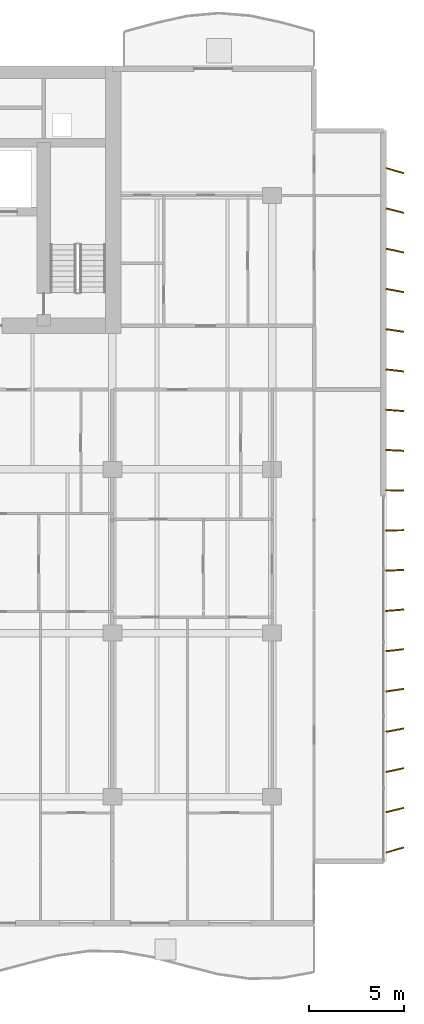
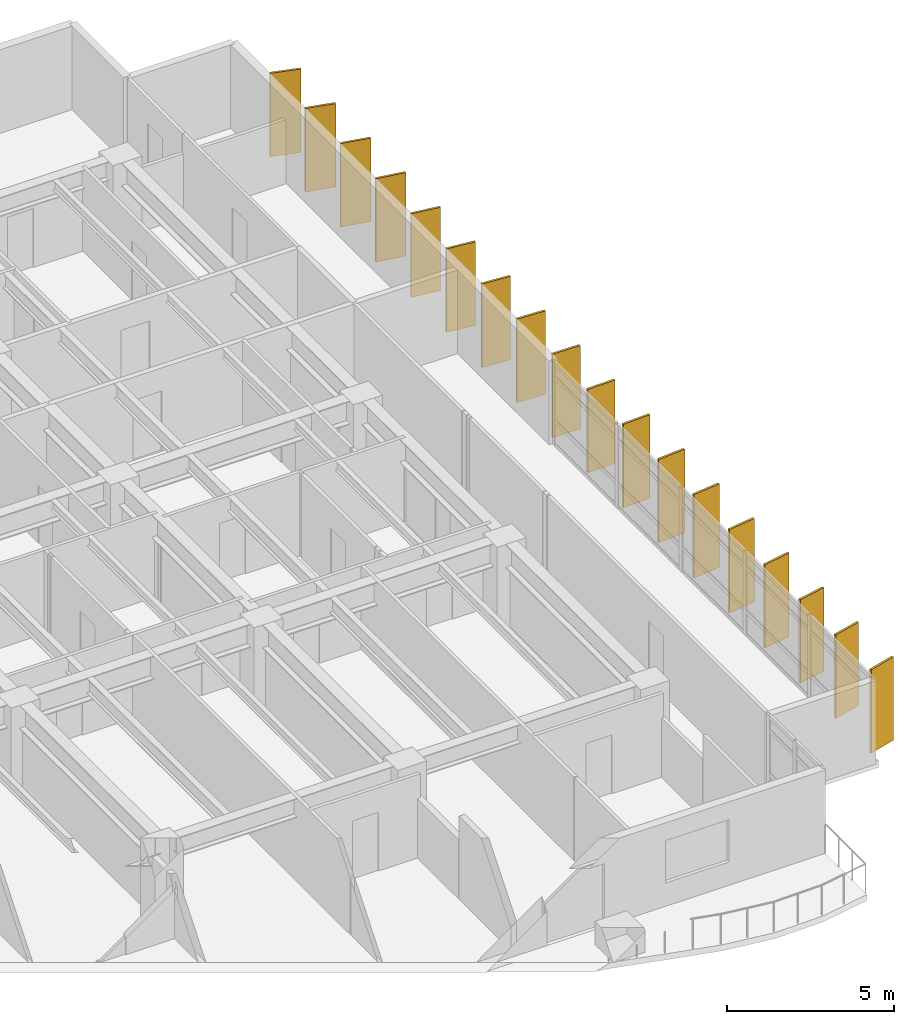
# One storey, part 19 of 19: 18 shading devices.
"""IFC4 building model written with IfcOpenShell, lengths in metres."""

from ifc_helpers import new_model, si_unit, direction, frame, origin, origin_2d, place, context, subcontext, project, spatial, rectangle, extrude, material, material_profile, profile_set, type_object, element, save


model = new_model("IFC4")

# Units and contexts
model_context = context("Model", 3, precision=1e-05, world=origin(), true_north=direction((0.0, 1.0)))
body_context = subcontext(model_context, "Body", "Model", "MODEL_VIEW")
ifc_project = project(units=[si_unit("LENGTHUNIT", "METRE"), si_unit("AREAUNIT", "SQUARE_METRE"), si_unit("VOLUMEUNIT", "CUBIC_METRE"), si_unit("PLANEANGLEUNIT", "RADIAN"), si_unit("MASSUNIT", "GRAM", prefix="KILO")], contexts=[model_context])

# Site, building, storey
site_placement = place(None, origin())
site = spatial("IfcSite", under=ifc_project, at=site_placement, CompositionType="ELEMENT")
building_placement = place(site_placement, origin())
building = spatial("IfcBuilding", under=site, at=building_placement, Name="Caelmar Bay Residences", CompositionType="ELEMENT")
storey_placement = place(building_placement, frame((0.0, 0.0, 112.5)))
storey = spatial("IfcBuildingStorey", under=building, at=storey_placement, Name="L30", CompositionType="ELEMENT", Elevation=112.5)

# Shading devices
ifc_material = material(Name="Anodised architectural bronze aluminium 6063-T6", Category="aluminium")
ifc_material_profile = material_profile(ifc_material, rectangle(XDim=0.074951171875, YDim=0.949951171875, at=origin_2d()), Name="BRONZE-FIN-75X950")
ifc_profile_set = profile_set([ifc_material_profile], Name="Anodised architectural bronze aluminium 6063-T6")
shading_device_type = type_object("IfcShadingDeviceType", Name="SHD-FIN-950", PredefinedType="USERDEFINED", material=ifc_profile_set)
for number, where, z_axis, x_axis, name in (
    (1, (74.35009765625, 9.39990234375, 0.0), (0.0, 0.0, 1.0), (-0.275637355817, 0.961261695938, 0.0), "L30 East Bronze Solar Fin 1"),
    (2, (74.35009765625, 11.5, 0.0), (0.0, 0.0, 1.0), (-0.243953546137, 0.969786918517, 0.0), "L30 East Bronze Solar Fin 2"),
    (3, (74.35009765625, 13.60009765625, 0.0), (0.0, 0.0, 1.0), (-0.212007109922, 0.977268123568, 0.0), "L30 East Bronze Solar Fin 3"),
    (4, (74.35009765625, 15.699951171875, 0.0), (0.0, 0.0, 1.0), (-0.179660748593, 0.98372862895, 0.0), "L30 East Bronze Solar Fin 4"),
    (5, (74.35009765625, 17.800048828125, 0.0), (0.0, 0.0, 1.0), (-0.147291543397, 0.989093120613, 0.0), "L30 East Bronze Solar Fin 5"),
    (6, (74.35009765625, 19.89990234375, 0.0), (0.0, 0.0, 1.0), (-0.114763772489, 0.993392810787, 0.0), "L30 East Bronze Solar Fin 6"),
    (7, (74.35009765625, 22.0, 0.0), (0.0, 0.0, 1.0), (-0.08211245342, 0.996623070671, 0.0), "L30 East Bronze Solar Fin 7"),
    (8, (74.35009765625, 24.10009765625, 0.0), (0.0, 0.0, 1.0), (-0.049198415926, 0.998789024705, 0.0), "L30 East Bronze Solar Fin 8"),
    (9, (74.35009765625, 26.199951171875, 0.0), (0.0, 0.0, 1.0), (-0.016405359001, 0.999865423043, 0.0), "L30 East Bronze Solar Fin 9"),
    (10, (74.35009765625, 28.300048828125, 0.0), (0.0, 0.0, 1.0), (0.016405359001, 0.999865423043, 0.0), "L30 East Bronze Solar Fin 10"),
    (11, (74.35009765625, 30.39990234375, 0.0), (0.0, 0.0, 1.0), (0.049198415926, 0.998789024705, 0.0), "L30 East Bronze Solar Fin 11"),
    (12, (74.35009765625, 32.5, 0.0), (0.0, 0.0, 1.0), (0.08211245342, 0.996623070671, 0.0), "L30 East Bronze Solar Fin 12"),
    (13, (74.35009765625, 34.60009765625, 0.0), (0.0, 0.0, 1.0), (0.114763772489, 0.993392810787, 0.0), "L30 East Bronze Solar Fin 13"),
    (14, (74.35009765625, 36.699951171875, 0.0), (0.0, 0.0, 1.0), (0.147291543397, 0.989093120613, 0.0), "L30 East Bronze Solar Fin 14"),
    (15, (74.35009765625, 38.800048828125, 0.0), (0.0, 0.0, 1.0), (0.179660748593, 0.98372862895, 0.0), "L30 East Bronze Solar Fin 15"),
    (16, (74.35009765625, 40.89990234375, 0.0), (0.0, 0.0, 1.0), (0.212007109922, 0.977268123568, 0.0), "L30 East Bronze Solar Fin 16"),
    (17, (74.35009765625, 43.0, 0.0), (0.0, 0.0, 1.0), (0.243953546137, 0.969786918517, 0.0), "L30 East Bronze Solar Fin 17"),
    (18, (74.35009765625, 45.10009765625, 0.0), (0.0, 0.0, 1.0), (0.275637355817, 0.961261695938, 0.0), "L30 East Bronze Solar Fin 18"),
):
    element("IfcShadingDevice", number, at=place(storey_placement, frame(where, z_axis=z_axis, x_axis=x_axis)), inside=storey, type_object=shading_device_type, Name=name, ObjectType="FIN", PredefinedType="USERDEFINED", context=body_context, shape_type="SweptSolid", body=[
        extrude(rectangle(XDim=0.074951171875, YDim=0.949951171875, at=origin_2d()), origin(), (0.0, 0.0, 1.0), 3.050048828125),
    ])

save(model, "model.ifc")
